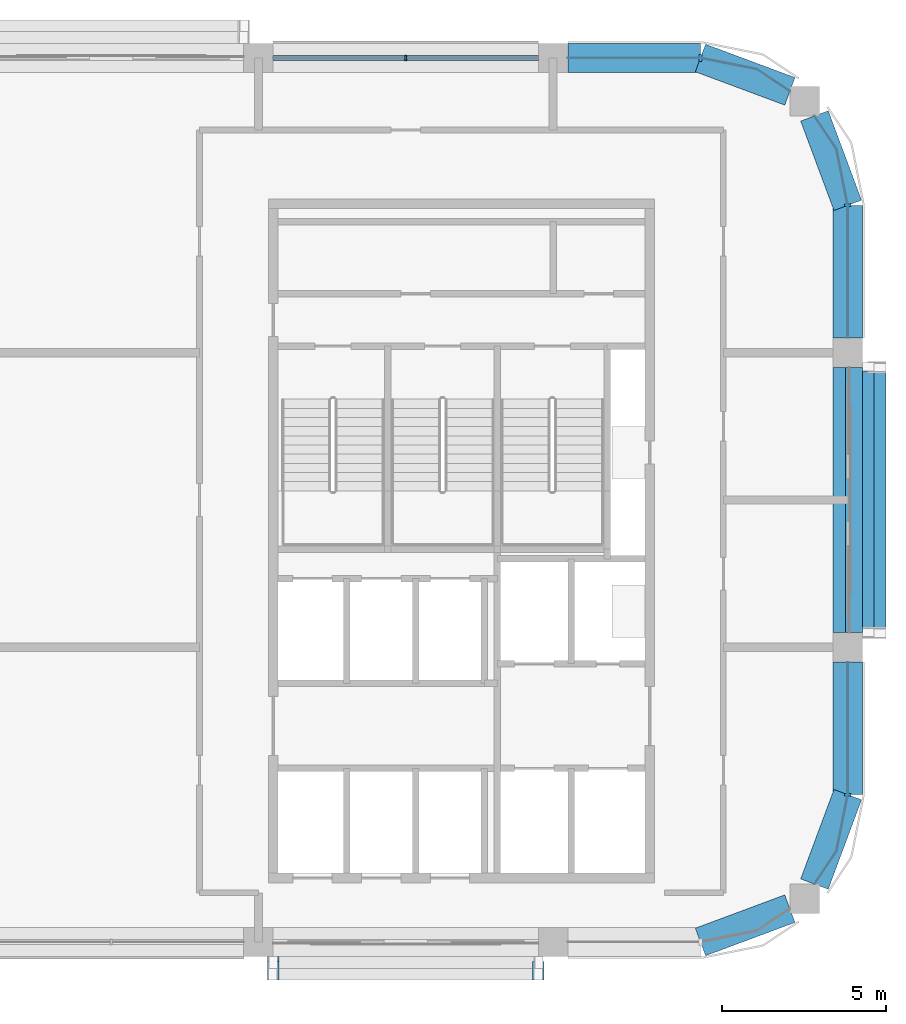
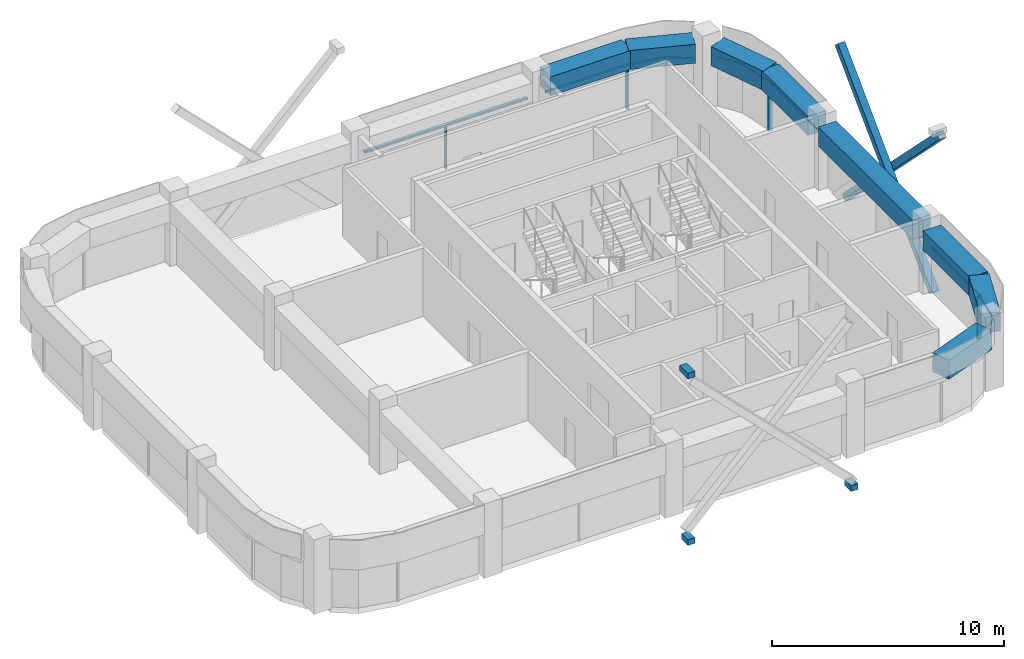
# One storey, part 4 of 9: 14 members, 8 beams, 5 elements without a shape of their own.
"""IFC4 building model written with IfcOpenShell, lengths in metres."""

from ifc_helpers import new_model, si_unit, direction, frame, origin, origin_2d, place, context, subcontext, project, spatial, polyline, rectangle, hollow_rectangle, outline, extrude, material, layer, layer_set, material_profile, profile_set, type_object, element, aggregate, save


model = new_model("IFC4")

# Units and contexts
model_context = context("Model", 3, precision=1e-05, world=origin(), true_north=direction((0.0, 1.0)))
body_context = subcontext(model_context, "Body", "Model", "MODEL_VIEW")
ifc_project = project(units=[si_unit("LENGTHUNIT", "METRE"), si_unit("AREAUNIT", "SQUARE_METRE"), si_unit("VOLUMEUNIT", "CUBIC_METRE"), si_unit("PLANEANGLEUNIT", "RADIAN"), si_unit("MASSUNIT", "GRAM", prefix="KILO")], contexts=[model_context])

# Site, building, storey
site_placement = place(None, origin())
site = spatial("IfcSite", under=ifc_project, at=site_placement, CompositionType="ELEMENT")
building_placement = place(site_placement, origin())
building = spatial("IfcBuilding", under=site, at=building_placement, Name="Tessera Arch", CompositionType="ELEMENT")
storey_placement = place(building_placement, frame((0.0, 0.0, 316.800048828125)))
storey = spatial("IfcBuildingStorey", under=building, at=storey_placement, Name="L76", CompositionType="ELEMENT", Elevation=316.800048828125)

# Members
ifc_material_1 = material(Name="Steel A500 Gr C", Category="steel")
ifc_material_profile_1 = material_profile(ifc_material_1, hollow_rectangle(XDim=0.355712890625, YDim=0.355712890625, WallThickness=0.01171875, at=origin_2d()), Name="HSS14x14x1/2")
ifc_profile_set_1 = profile_set([ifc_material_profile_1], Name="Steel A500 Gr C")
member_type_1 = type_object("IfcMemberType", Name="Brace HSS14x14x1/2 Steel A500 Gr C", PredefinedType="BRACE", material=ifc_profile_set_1)
for number, where, z_axis, x_axis, name in (
    (1, (54.627685546875, 36.449951171875, -0.800048828125), (0.0, 0.704936255944, 0.709270664173), (-1.0, 0.0, 0.0), "Brace E54.27-0 A L76-L77"),
    (2, (54.9833984375, 44.550048828125, -0.800048828125), (0.0, -0.704936255944, 0.709270664173), (1.0, 0.0, 0.0), "Brace E54.27-0 B L76-L77"),
):
    element("IfcMember", number, at=place(storey_placement, frame(where, z_axis=z_axis, x_axis=x_axis)), inside=storey, type_object=member_type_1, Name=name, PredefinedType="BRACE", context=body_context, shape_type="SweptSolid", body=[
        extrude(hollow_rectangle(XDim=0.355712890625, YDim=0.355712890625, WallThickness=0.01171875, at=origin_2d()), origin(), (0.0, 0.0, 1.0), 11.490478515625),
    ])

# Curtain wall, members
ifc_material_2 = material(Name="CW1 curtain wall")
curtain_wall_type_1 = type_object("IfcCurtainWallType", Name="CW1 curtain wall", PredefinedType="NOTDEFINED", material=ifc_material_2)
curtain_wall_1_placement = place(storey_placement, origin())
curtain_wall_1 = element("IfcCurtainWall", 3, at=curtain_wall_1_placement, inside=storey, type_object=curtain_wall_type_1, Name="CW1 curtain wall N54.18/1 L76", PredefinedType="NOTDEFINED")
ifc_material_3 = material(Name="Anodised aluminium pale metal", Category="aluminium")
ifc_material_profile_2 = material_profile(ifc_material_3, rectangle(XDim=0.159912109375, YDim=0.06005859375, at=origin_2d()), Name="AL 60x160")
ifc_profile_set_2 = profile_set([ifc_material_profile_2], Name="Anodised aluminium pale metal")
member_type_2 = type_object("IfcMemberType", Name="CW1 mullion", PredefinedType="MULLION", material=ifc_profile_set_2)
member_1_placement = place(storey_placement, frame((40.5, 54.0, 0.0), z_axis=(0.0, 0.0, 1.0), x_axis=(0.0, -1.0, 0.0)))
member_1 = element("IfcMember", 4, at=member_1_placement, type_object=member_type_2, Name="CW1 mullion N54.18/1 1", PredefinedType="MULLION", context=body_context, shape_type="SweptSolid", body=[
    extrude(rectangle(XDim=0.159912109375, YDim=0.06005859375, at=origin_2d()), origin(), (0.0, 0.0, 1.0), 2.25),
])
ifc_material_4 = material(Name="Anodised aluminium pale metal", Category="aluminium")
ifc_material_profile_3 = material_profile(ifc_material_4, rectangle(XDim=0.159912109375, YDim=0.10009765625, at=origin_2d()), Name="AL 160x100")
ifc_profile_set_3 = profile_set([ifc_material_profile_3], Name="Anodised aluminium pale metal")
member_type_3 = type_object("IfcMemberType", Name="CW1 transom", PredefinedType="USERDEFINED", material=ifc_profile_set_3)
member_2_placement = place(storey_placement, frame((44.550048828125, 54.0, 2.300048828125), z_axis=(-1.0, 0.0, 0.0), x_axis=(0.0, -1.0, 0.0)))
member_2 = element("IfcMember", 5, at=member_2_placement, type_object=member_type_3, Name="CW1 transom N54.18/1 1.1", ObjectType="TRANSOM", PredefinedType="USERDEFINED", context=body_context, shape_type="SweptSolid", body=[
    extrude(rectangle(XDim=0.159912109375, YDim=0.10009765625, at=origin_2d()), origin(), (0.0, 0.0, 1.0), 8.10009765625),
])
aggregate(curtain_wall_1, [member_1, member_2])

# Curtain wall, member
ifc_material_5 = material(Name="CW2 curtain wall")
curtain_wall_type_2 = type_object("IfcCurtainWallType", Name="CW2 curtain wall", PredefinedType="NOTDEFINED", material=ifc_material_5)
curtain_wall_2_placement = place(storey_placement, origin())
curtain_wall_2 = element("IfcCurtainWall", 6, at=curtain_wall_2_placement, inside=storey, type_object=curtain_wall_type_2, Name="CW2 curtain wall E54.27/1 L76", PredefinedType="NOTDEFINED")
ifc_material_6 = material(Name="Anodised aluminium pale metal", Category="aluminium")
ifc_material_profile_4 = material_profile(ifc_material_6, rectangle(XDim=0.199951171875, YDim=0.080078125, at=origin_2d()), Name="AL 80x200")
ifc_profile_set_4 = profile_set([ifc_material_profile_4], Name="Anodised aluminium pale metal")
member_type_4 = type_object("IfcMemberType", Name="CW2 mullion", PredefinedType="MULLION", material=ifc_profile_set_4)
member_3_placement = place(storey_placement, frame((54.0, 49.5, 0.0), z_axis=(0.0, 0.0, 1.0), x_axis=(-1.0, 0.0, 0.0)))
member_3 = element("IfcMember", 7, at=member_3_placement, type_object=member_type_4, Name="CW2 mullion E54.27/1 1", PredefinedType="MULLION", context=body_context, shape_type="SweptSolid", body=[
    extrude(rectangle(XDim=0.199951171875, YDim=0.080078125, at=origin_2d()), origin(), (0.0, 0.0, 1.0), 2.5),
])

curtain_wall_3_placement = place(storey_placement, origin())
curtain_wall_3 = element("IfcCurtainWall", 8, at=curtain_wall_3_placement, inside=storey, type_object=curtain_wall_type_2, Name="CW2 curtain wall N54.18/0 L76", PredefinedType="NOTDEFINED")
member_4_placement = place(storey_placement, frame((49.5, 54.0, 0.0), z_axis=(0.0, 0.0, 1.0), x_axis=(0.0, -1.0, 0.0)))
member_4 = element("IfcMember", 9, at=member_4_placement, type_object=member_type_4, Name="CW2 mullion N54.18/0 1", PredefinedType="MULLION", context=body_context, shape_type="SweptSolid", body=[
    extrude(rectangle(XDim=0.199951171875, YDim=0.080078125, at=origin_2d()), origin(), (0.0, 0.0, 1.0), 2.25),
])

curtain_wall_4_placement = place(storey_placement, origin())
curtain_wall_4 = element("IfcCurtainWall", 10, at=curtain_wall_4_placement, inside=storey, type_object=curtain_wall_type_2, Name="CW2 curtain wall E54.27/2 L76", PredefinedType="NOTDEFINED")
member_5_placement = place(storey_placement, frame((54.0, 31.5, 0.0), z_axis=(0.0, 0.0, 1.0), x_axis=(-1.0, 0.0, 0.0)))
member_5 = element("IfcMember", 11, at=member_5_placement, type_object=member_type_4, Name="CW2 mullion E54.27/2 1", PredefinedType="MULLION", context=body_context, shape_type="SweptSolid", body=[
    extrude(rectangle(XDim=0.199951171875, YDim=0.080078125, at=origin_2d()), origin(), (0.0, 0.0, 1.0), 2.25),
])

# Member
ifc_material_7 = material(Name="Anodised aluminium pale metal", Category="aluminium")
ifc_material_profile_5 = material_profile(ifc_material_7, rectangle(XDim=0.199951171875, YDim=0.10009765625, at=origin_2d()), Name="AL 200x100")
ifc_profile_set_5 = profile_set([ifc_material_profile_5], Name="Anodised aluminium pale metal")
member_type_5 = type_object("IfcMemberType", Name="CW2 transom", PredefinedType="USERDEFINED", material=ifc_profile_set_5)
member_6_placement = place(storey_placement, frame((0.0, 0.0, 2.5)))
member_6 = element("IfcMember", 12, at=member_6_placement, type_object=member_type_5, Name="CW2 transom E54.27/1 1", ObjectType="TRANSOM", PredefinedType="USERDEFINED", context=body_context, shape_type="SweptSolid", body=[
    extrude(outline(polyline([(53.989990234375, 49.4990234375), (53.989990234375, 45.449951171875), (54.010009765625, 45.449951171875), (54.010009765625, 49.5009765625), (53.6669921875, 51.22607421875), (52.990966796875, 52.237548828125), (52.974365234375, 52.2265625), (53.648193359375, 51.21826171875), (53.989990234375, 49.4990234375)])), origin(), (0.0, 0.0, 1.0), 0.099853515625),
])

aggregate(curtain_wall_2, [member_3, member_6])

member_7_placement = place(storey_placement, frame((0.0, 0.0, 2.25)))
member_7 = element("IfcMember", 13, at=member_7_placement, type_object=member_type_5, Name="CW2 transom N54.18/0 1", ObjectType="TRANSOM", PredefinedType="USERDEFINED", context=body_context, shape_type="SweptSolid", body=[
    extrude(outline(polyline([(51.21826171875, 53.648193359375), (52.2265625, 52.974365234375), (52.237548828125, 52.990966796875), (51.22607421875, 53.6669921875), (49.5009765625, 54.010009765625), (45.449951171875, 54.010009765625), (45.449951171875, 53.989990234375), (49.4990234375, 53.989990234375), (51.21826171875, 53.648193359375)])), origin(), (0.0, 0.0, 1.0), 0.099853515625),
])

aggregate(curtain_wall_3, [member_4, member_7])

member_8_placement = place(storey_placement, frame((0.0, 0.0, 2.25)))
member_8 = element("IfcMember", 14, at=member_8_placement, type_object=member_type_5, Name="CW2 transom E54.27/2 1", ObjectType="TRANSOM", PredefinedType="USERDEFINED", context=body_context, shape_type="SweptSolid", body=[
    extrude(outline(polyline([(53.648193359375, 29.78173828125), (52.974365234375, 28.7734375), (52.990966796875, 28.762451171875), (53.6669921875, 29.77392578125), (54.010009765625, 31.4990234375), (54.010009765625, 35.550048828125), (53.989990234375, 35.550048828125), (53.989990234375, 31.5009765625), (53.648193359375, 29.78173828125)])), origin(), (0.0, 0.0, 1.0), 0.099853515625),
])

aggregate(curtain_wall_4, [member_5, member_8])

# Curtain wall, member
ifc_material_8 = material(Name="CW3 curtain wall")
curtain_wall_type_3 = type_object("IfcCurtainWallType", Name="CW3 curtain wall", PredefinedType="NOTDEFINED", material=ifc_material_8)
curtain_wall_5_placement = place(storey_placement, origin())
curtain_wall_5 = element("IfcCurtainWall", 15, at=curtain_wall_5_placement, inside=storey, type_object=curtain_wall_type_3, Name="CW3 curtain wall E54.27/0 L76", PredefinedType="NOTDEFINED")
ifc_material_9 = material(Name="Anodised aluminium pale metal", Category="aluminium")
ifc_material_profile_6 = material_profile(ifc_material_9, rectangle(XDim=0.139892578125, YDim=0.10009765625, at=origin_2d()), Name="AL 140x100")
ifc_profile_set_6 = profile_set([ifc_material_profile_6], Name="Anodised aluminium pale metal")
member_type_6 = type_object("IfcMemberType", Name="CW3 transom", PredefinedType="USERDEFINED", material=ifc_profile_set_6)
member_9_placement = place(storey_placement, frame((54.0, 36.449951171875, 2.300048828125), z_axis=(0.0, 1.0, 0.0), x_axis=(-1.0, 0.0, 0.0)))
member_9 = element("IfcMember", 16, at=member_9_placement, type_object=member_type_6, Name="CW3 transom E54.27/0 1.1", ObjectType="TRANSOM", PredefinedType="USERDEFINED", context=body_context, shape_type="SweptSolid", body=[
    extrude(rectangle(XDim=0.139892578125, YDim=0.10009765625, at=origin_2d()), origin(), (0.0, 0.0, 1.0), 8.10009765625),
])
aggregate(curtain_wall_5, [member_9])

# Members
ifc_material_10 = material(Name="Steel A572 Gr50", Category="steel")
ifc_layer = layer(ifc_material_10, 0.050048828125)
ifc_layer_set = layer_set([ifc_layer], Name="Node block Steel A572 Gr50")
member_type_7 = type_object("IfcMemberType", Name="Node block Steel A572 Gr50", PredefinedType="PLATE", material=ifc_layer_set)
for number, where, z_axis, x_axis, name in (
    (17, (44.550048828125, 26.119384765625, -1.2431640625), (0.0, 0.0, 1.0), (1.0, 0.0, 0.0), "Node block seat S27.18-2 1 L76"),
    (18, (36.449951171875, 26.119384765625, -1.2431640625), (0.0, 0.0, 1.0), (1.0, 0.0, 0.0), "Node block seat S27.18-2 2 L76"),
):
    element("IfcMember", number, at=place(storey_placement, frame(where, z_axis=z_axis, x_axis=x_axis)), inside=storey, type_object=member_type_7, Name=name, PredefinedType="PLATE", context=body_context, shape_type="SweptSolid", body=[
        extrude(rectangle(XDim=0.355712890625, YDim=0.561279296875, at=origin_2d()), origin(), (0.0, 0.0, 1.0), 0.300048828125),
    ])
member_10_placement = place(storey_placement, frame((36.449951171875, 26.1943359375, 7.4931640625), z_axis=(0.0, 0.0, 1.0), x_axis=(1.0, 0.0, 0.0)))
element("IfcMember", 19, at=member_10_placement, inside=storey, type_object=member_type_7, Name="Node block head S27.18-2 B L76", PredefinedType="PLATE", context=body_context, shape_type="SweptSolid", body=[
    extrude(rectangle(XDim=0.355712890625, YDim=0.711181640625, at=origin_2d()), origin(), (0.0, 0.0, 1.0), 0.300048828125),
])

# Beams
ifc_material_11 = material(Name="Concrete C50/60", Category="concrete")
ifc_material_profile_7 = material_profile(ifc_material_11, rectangle(XDim=0.89990234375, YDim=1.0, at=origin_2d()), Name="RC spandrel beam 900 x 1000 Concrete C50/60")
ifc_profile_set_7 = profile_set([ifc_material_profile_7], Name="Concrete C50/60")
beam_type = type_object("IfcBeamType", Name="RC spandrel beam 900 x 1000 Concrete C50/60", PredefinedType="BEAM", material=ifc_profile_set_7)
beam_1_placement = place(storey_placement, frame((54.0, 36.449951171875, 2.849853515625), z_axis=(0.0, 1.0, 0.0), x_axis=(-1.0, 0.0, 0.0)))
element("IfcBeam", 20, at=beam_1_placement, inside=storey, type_object=beam_type, Name="Spandrel beam L76 E54.27/0", PredefinedType="BEAM", context=body_context, shape_type="SweptSolid", body=[
    extrude(rectangle(XDim=0.89990234375, YDim=1.0, at=origin_2d()), origin(), (0.0, 0.0, 1.0), 8.10009765625),
])
beam_2_placement = place(storey_placement, frame((54.0, 45.449951171875, 2.849853515625), z_axis=(0.0, 1.0, 0.0), x_axis=(-1.0, 0.0, 0.0)))
element("IfcBeam", 21, at=beam_2_placement, inside=storey, type_object=beam_type, Name="Spandrel beam L76 E54.27/1.1", PredefinedType="BEAM", context=body_context, shape_type="SweptSolid", body=[
    extrude(rectangle(XDim=0.89990234375, YDim=1.0, at=origin_2d()), origin(), (0.0, 0.0, 1.0), 4.050048828125),
])
for number, where, z_axis, x_axis, name in (
    (22, (54.0, 49.5, 2.849853515625), (-0.348974916509, 0.937132065211, 0.0), (-0.937132065211, -0.348974916509, 0.0), "Spandrel beam L76 E54.27/1.2"),
    (23, (52.23193359375, 52.982666015625, 2.849853515625), (-0.937132065211, 0.348974916509, 0.0), (-0.348974916509, -0.937132065211, 0.0), "Spandrel beam L76 N54.18/0.1"),
):
    element("IfcBeam", number, at=place(storey_placement, frame(where, z_axis=z_axis, x_axis=x_axis)), inside=storey, type_object=beam_type, Name=name, PredefinedType="BEAM", context=body_context, shape_type="SweptSolid", body=[
        extrude(rectangle(XDim=0.89990234375, YDim=1.0, at=origin_2d()), origin(), (0.0, 0.0, 1.0), 2.915283203125),
    ])
beam_3_placement = place(storey_placement, frame((49.5, 54.0, 2.849853515625), z_axis=(-1.0, 0.0, 0.0), x_axis=(0.0, -1.0, 0.0)))
element("IfcBeam", 24, at=beam_3_placement, inside=storey, type_object=beam_type, Name="Spandrel beam L76 N54.18/0.2", PredefinedType="BEAM", context=body_context, shape_type="SweptSolid", body=[
    extrude(rectangle(XDim=0.89990234375, YDim=1.0, at=origin_2d()), origin(), (0.0, 0.0, 1.0), 4.050048828125),
])
for number, where, z_axis, x_axis, name in (
    (25, (49.5, 27.0, 2.849853515625), (0.937132065211, 0.348974916509, 0.0), (-0.348974916509, 0.937132065211, 0.0), "Spandrel beam L76 S27.18/3.2"),
    (26, (52.982666015625, 28.76806640625, 2.849853515625), (0.348974916509, 0.937132065211, 0.0), (-0.937132065211, 0.348974916509, 0.0), "Spandrel beam L76 E54.27/2.1"),
):
    element("IfcBeam", number, at=place(storey_placement, frame(where, z_axis=z_axis, x_axis=x_axis)), inside=storey, type_object=beam_type, Name=name, PredefinedType="BEAM", context=body_context, shape_type="SweptSolid", body=[
        extrude(rectangle(XDim=0.89990234375, YDim=1.0, at=origin_2d()), origin(), (0.0, 0.0, 1.0), 2.915283203125),
    ])
beam_4_placement = place(storey_placement, frame((54.0, 31.5, 2.849853515625), z_axis=(0.0, 1.0, 0.0), x_axis=(-1.0, 0.0, 0.0)))
element("IfcBeam", 27, at=beam_4_placement, inside=storey, type_object=beam_type, Name="Spandrel beam L76 E54.27/2.2", PredefinedType="BEAM", context=body_context, shape_type="SweptSolid", body=[
    extrude(rectangle(XDim=0.89990234375, YDim=1.0, at=origin_2d()), origin(), (0.0, 0.0, 1.0), 4.050048828125),
])

save(model, "model.ifc")
